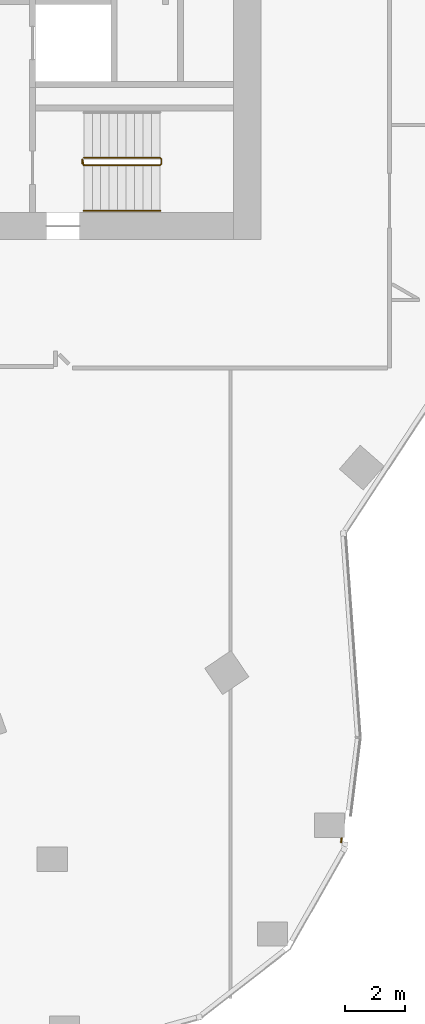
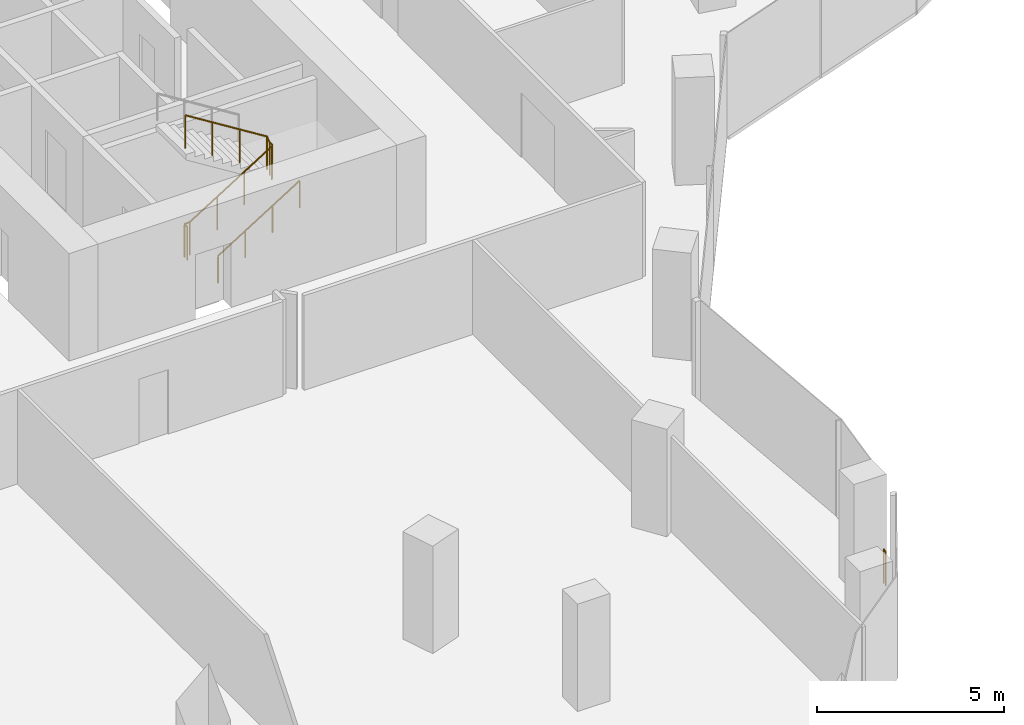
# One storey, part 23 of 24: 3 railings.
"""IFC4 building model written with IfcOpenShell, lengths in metres."""

import ifcopenshell
import ifcopenshell.guid

model = None  # the IFC model being written
_history = None  # IfcOwnerHistory: only IFC2X3 demands one
_inside = {}  # id of a spatial element -> (the spatial element, [elements in it])
_under = {}  # id of a project, library or spatial element -> (it, [spatial elements below it])
_declared = {}  # id of a project -> (the project, [libraries it declares])
_typed = {}  # id of a type object -> (the type object, [elements of that type])
_made_of = {}  # id of a material, layer set ... -> (it, [elements and type objects made of it])


def new_model(schema):
    """Start an empty IFC model of exactly this schema.

    Asked for "IFC4X3", IfcOpenShell would pick the latest addendum, in which some entities
    have other attributes; the version numbers below select the first issue.
    IFC2X3 requires an IfcOwnerHistory on every rooted entity: one is made here for all.
    """
    global model, _history
    if schema == "IFC4X3":
        model = ifcopenshell.file(schema_version=(4, 3, 0, 0))
    else:
        model = ifcopenshell.file(schema=schema)
    _inside.clear()
    _under.clear()
    _declared.clear()
    _typed.clear()
    _made_of.clear()
    _history = None
    if model.schema == "IFC2X3":
        org = make("IfcOrganization", Name="unknown")
        user = make(
            "IfcPersonAndOrganization",
            ThePerson=make("IfcPerson", FamilyName="unknown"),
            TheOrganization=org,
        )
        app = make(
            "IfcApplication",
            ApplicationDeveloper=org,
            Version="unknown",
            ApplicationFullName="unknown",
            ApplicationIdentifier="unknown",
        )
        _history = make(
            "IfcOwnerHistory",
            OwningUser=user,
            OwningApplication=app,
            ChangeAction="ADDED",
            CreationDate=0,
        )
    return model


def make(cls, **values):
    """One entity of the class cls with the attributes given. An attribute that is None is left unset."""
    return model.create_entity(
        cls, **{name: value for name, value in values.items() if value is not None}
    )


def rooted(cls, **values):
    """An entity with a GlobalId (a new one), such as an element, a storey or a relation."""
    return make(cls, GlobalId=ifcopenshell.guid.new(), OwnerHistory=_history, **values)


def si_unit(unit_type, name, prefix=None):
    """IfcSIUnit, for example si_unit("LENGTHUNIT", "METRE", prefix="MILLI")."""
    return make("IfcSIUnit", UnitType=unit_type, Prefix=prefix, Name=name)


def assignment(units):
    """IfcUnitAssignment: the units of a project."""
    return None if units is None else make("IfcUnitAssignment", Units=units)


def point(xyz):
    """IfcCartesianPoint."""
    return None if xyz is None else make("IfcCartesianPoint", Coordinates=xyz)


def direction(xyz):
    """IfcDirection."""
    return None if xyz is None else make("IfcDirection", DirectionRatios=xyz)


def frame(location, z_axis=None, x_axis=None):
    """IfcAxis2Placement3D, a coordinate frame: its origin and axes. An axis left out is left unset."""
    return make(
        "IfcAxis2Placement3D",
        Location=point(location),
        Axis=direction(z_axis),
        RefDirection=direction(x_axis),
    )


def frame_2d(location, x_axis=None):
    """IfcAxis2Placement2D, a coordinate frame in the plane: its origin and x axis."""
    return make(
        "IfcAxis2Placement2D", Location=point(location), RefDirection=direction(x_axis)
    )


def origin():
    """The frame at (0, 0, 0) with its axes left unset."""
    return frame((0.0, 0.0, 0.0))


def origin_2d():
    """The frame at (0, 0) in the plane with its x axis left unset."""
    return frame_2d((0.0, 0.0))


def place(relative_to, where):
    """IfcLocalPlacement: puts the frame where relative to a parent placement (None: the world)."""
    return make(
        "IfcLocalPlacement", PlacementRelTo=relative_to, RelativePlacement=where
    )


def context(
    kind, dimensions, precision=None, world=None, true_north=None, identifier=None
):
    """IfcGeometricRepresentationContext, for example the 3D "Model" context."""
    return make(
        "IfcGeometricRepresentationContext",
        ContextIdentifier=identifier,
        ContextType=kind,
        CoordinateSpaceDimension=dimensions,
        Precision=precision,
        WorldCoordinateSystem=world,
        TrueNorth=true_north,
    )


def subcontext(parent, identifier, kind, view, scale=None):
    """IfcGeometricRepresentationSubContext, for example "Body" below "Model"."""
    return make(
        "IfcGeometricRepresentationSubContext",
        ContextIdentifier=identifier,
        ContextType=kind,
        ParentContext=parent,
        TargetScale=scale,
        TargetView=view,
    )


def project(units=None, contexts=None):
    """IfcProject with its units and contexts."""
    return rooted(
        "IfcProject",
        Name="project",
        RepresentationContexts=contexts,
        UnitsInContext=assignment(units),
    )


def spatial(cls, under=None, at=None, **own):
    """A site, building, storey or space (cls), placed at a placement, below another one or the project."""
    s = rooted(cls, ObjectPlacement=at, **own)
    if under is not None:
        _under.setdefault(under.id(), (under, []))[1].append(s)
    return s


def profile(cls, at=None, kind="AREA", **sizes):
    """A parametric profile (cls). Its sizes go by their IFC names, for example OverallWidth=200.0."""
    return make(cls, ProfileType=kind, Position=at, **sizes)


def circle(**sizes):
    """IfcCircleProfileDef."""
    return profile("IfcCircleProfileDef", **sizes)


def extrude(swept, where, along, depth):
    """IfcExtrudedAreaSolid: the profile swept, set in the frame where, extruded along a direction by depth."""
    return make(
        "IfcExtrudedAreaSolid",
        SweptArea=swept,
        Position=where,
        ExtrudedDirection=direction(along),
        Depth=depth,
    )


def shape(context_of_items, identifier, shape_type, items):
    """IfcShapeRepresentation: the items that make up one representation, for example the "Body"."""
    return make(
        "IfcShapeRepresentation",
        ContextOfItems=context_of_items,
        RepresentationIdentifier=identifier,
        RepresentationType=shape_type,
        Items=items,
    )


def material(Name=None, Category=None):
    """IfcMaterial."""
    return make("IfcMaterial", Name=Name, Category=Category)


def made_of(thing, what):
    """Note that an element or type object is made of a material, layer set ...; save() writes the relation."""
    if what is not None:
        _made_of.setdefault(what.id(), (what, []))[1].append(thing)
    return thing


def type_object(cls, material=None, **own):
    """A type object (cls), such as IfcWallType, which elements share."""
    return made_of(rooted(cls, **own), material)


def element(
    cls,
    number,
    at=None,
    inside=None,
    cuts=None,
    type_object=None,
    material=None,
    context=None,
    identifier="Body",
    shape_type=None,
    held_by="IfcProductDefinitionShape",
    body=None,
    shapes=None,
    **own,
):
    """One element of the class cls, such as IfcWall. Its Tag is "e" and its number.

    at: its placement. inside: the storey or other place that contains it. cuts: it is an
    opening in that element (IfcRelVoidsElement). A single representation is given by context,
    identifier, shape_type and body (its items); several are given by shapes. held_by: the class
    of the entity that holds the representations. save() writes the other relations.
    """
    e = rooted(cls, Tag="e%d" % number, ObjectPlacement=at, **own)
    if body is not None:
        shapes = [shape(context, identifier, shape_type, body)]
    if shapes is not None:
        e.Representation = make(held_by, Representations=shapes)
    if inside is not None:
        _inside.setdefault(inside.id(), (inside, []))[1].append(e)
    if cuts is not None:
        rooted(
            "IfcRelVoidsElement", RelatingBuildingElement=cuts, RelatedOpeningElement=e
        )
    if type_object is not None:
        _typed.setdefault(type_object.id(), (type_object, []))[1].append(e)
    return made_of(e, material)


def aggregate(whole, parts):
    """IfcRelAggregates: a whole, such as a stair, and the parts it consists of."""
    return rooted("IfcRelAggregates", RelatingObject=whole, RelatedObjects=parts)


def save(model, path):
    """Write the relations noted so far, then the file.

    IfcRelAggregates (storeys below a building ...), IfcRelContainedInSpatialStructure (elements
    in a storey), IfcRelDefinesByType, IfcRelAssociatesMaterial and IfcRelDeclares: one each for
    every whole, place, type object, material and project.
    """
    for whole, parts in _under.values():
        aggregate(whole, parts)
    for where, things in _inside.values():
        rooted(
            "IfcRelContainedInSpatialStructure",
            RelatedElements=things,
            RelatingStructure=where,
        )
    for kind, things in _typed.values():
        rooted("IfcRelDefinesByType", RelatedObjects=things, RelatingType=kind)
    for what, things in _made_of.values():
        rooted("IfcRelAssociatesMaterial", RelatedObjects=things, RelatingMaterial=what)
    for by, libraries in _declared.values():
        rooted("IfcRelDeclares", RelatingContext=by, RelatedDefinitions=libraries)
    model.write(path)


model = new_model("IFC4")

# Units and contexts
model_context = context("Model", 3, precision=1e-05, world=origin(), true_north=direction((0.0, 1.0)))
body_context = subcontext(model_context, "Body", "Model", "MODEL_VIEW")
ifc_project = project(units=[si_unit("LENGTHUNIT", "METRE"), si_unit("AREAUNIT", "SQUARE_METRE"), si_unit("VOLUMEUNIT", "CUBIC_METRE"), si_unit("PLANEANGLEUNIT", "RADIAN"), si_unit("MASSUNIT", "GRAM", prefix="KILO")], contexts=[model_context])

# Site, building, storey
site_placement = place(None, origin())
site = spatial("IfcSite", under=ifc_project, at=site_placement, CompositionType="ELEMENT")
building_placement = place(site_placement, origin())
building = spatial("IfcBuilding", under=site, at=building_placement, Name="Orlundy Tower", CompositionType="ELEMENT")
storey_placement = place(building_placement, frame((0.0, 0.0, 235.5)))
storey = spatial("IfcBuildingStorey", under=building, at=storey_placement, Name="L62", CompositionType="ELEMENT", Elevation=235.5)

# Railings
ifc_material_1 = material(Name="Steel balustrade", Category="steel")
railing_type_1 = type_object("IfcRailingType", Name="Stair Guard 1100", PredefinedType="GUARDRAIL", material=ifc_material_1)
railing_1_placement = place(storey_placement, frame((13.090087890625, -9.5, 0.0)))
element("IfcRailing", 1, at=railing_1_placement, inside=storey, type_object=railing_type_1, Name="L62 ST-E1 stair guard 1", PredefinedType="GUARDRAIL", context=body_context, shape_type="SweptSolid", body=[
    extrude(circle(Radius=0.02392578125, at=origin_2d()), frame((0.0, 0.0, 1.076171875), z_axis=(0.0, 1.0, 0.0), x_axis=(-1.0, 0.0, 0.0)), (0.0, 0.0, 1.0), 0.14990234375),
    extrude(circle(Radius=0.02392578125, at=origin_2d()), frame((0.0, 0.14990234375, 1.076171875), z_axis=(0.18420542264, -0.739530593833, 0.647427882513), x_axis=(0.970351222016, 0.241699205484, 0.0)), (0.0, 0.0, 1.0), 0.270263671875),
    extrude(circle(Radius=0.02392578125, at=origin_2d()), frame((0.0498046875, -0.050048828125, 1.2509765625), z_axis=(0.848007534815, 0.0, 0.529984170421), x_axis=(0.0, 1.0, 0.0)), (0.0, 0.0, 1.0), 2.9716796875),
    extrude(circle(Radius=0.02392578125, at=origin_2d()), frame((2.56982421875, -0.050048828125, 2.826171875), z_axis=(0.707106781187, 0.707106781187, 0.0), x_axis=(-0.707106781187, 0.707106781187, 0.0)), (0.0, 0.0, 1.0), 0.07080078125),
    extrude(circle(Radius=0.02392578125, at=origin_2d()), frame((2.619873046875, 0.0, 2.826171875), z_axis=(0.0, 1.0, 0.0), x_axis=(-1.0, 0.0, 0.0)), (0.0, 0.0, 1.0), 0.14990234375),
    extrude(circle(Radius=0.02392578125, at=origin_2d()), frame((2.619873046875, 0.14990234375, 2.826171875), z_axis=(-0.265065253269, 0.265065253269, 0.927081885822), x_axis=(-0.707106781187, -0.707106781187, 0.0)), (0.0, 0.0, 1.0), 0.188720703125),
    extrude(circle(Radius=0.02392578125, at=origin_2d()), frame((2.56982421875, 0.199951171875, 3.0009765625), z_axis=(-0.848007534815, 0.0, 0.529984170421), x_axis=(0.0, -1.0, 0.0)), (0.0, 0.0, 1.0), 2.9716796875),
    extrude(circle(Radius=0.02099609375, at=origin_2d()), origin(), (0.0, 0.0, 1.0), 1.052001953125),
    extrude(circle(Radius=0.02099609375, at=origin_2d()), frame((0.0, 0.14990234375, 0.0)), (0.0, 0.0, 1.0), 1.052001953125),
    extrude(circle(Radius=0.02099609375, at=origin_2d()), frame((0.0498046875, -0.050048828125, 0.175048828125)), (0.0, 0.0, 1.0), 1.052001953125),
    extrude(circle(Radius=0.02099609375, at=origin_2d()), frame((0.889892578125, -0.050048828125, 0.699951171875)), (0.0, 0.0, 1.0), 1.052001953125),
    extrude(circle(Radius=0.02099609375, at=origin_2d()), frame((1.729736328125, -0.050048828125, 1.22509765625)), (0.0, 0.0, 1.0), 1.052001953125),
    extrude(circle(Radius=0.02099609375, at=origin_2d()), frame((2.56982421875, -0.050048828125, 1.75)), (0.0, 0.0, 1.0), 1.052001953125),
    extrude(circle(Radius=0.02099609375, at=origin_2d()), frame((2.619873046875, 0.0, 1.75)), (0.0, 0.0, 1.0), 1.052001953125),
    extrude(circle(Radius=0.02099609375, at=origin_2d()), frame((2.619873046875, 0.14990234375, 1.75)), (0.0, 0.0, 1.0), 1.052001953125),
    extrude(circle(Radius=0.02099609375, at=origin_2d()), frame((2.56982421875, 0.199951171875, 1.925048828125)), (0.0, 0.0, 1.0), 1.052001953125),
    extrude(circle(Radius=0.02099609375, at=origin_2d()), frame((1.729736328125, 0.199951171875, 2.449951171875)), (0.0, 0.0, 1.0), 1.052001953125),
    extrude(circle(Radius=0.02099609375, at=origin_2d()), frame((0.889892578125, 0.199951171875, 2.97509765625)), (0.0, 0.0, 1.0), 1.052001953125),
    extrude(circle(Radius=0.02099609375, at=origin_2d()), frame((0.0498046875, 0.199951171875, 3.5)), (0.0, 0.0, 1.0), 1.052001953125),
])
ifc_material_2 = material(Name="Steel handrail", Category="steel")
railing_type_2 = type_object("IfcRailingType", Name="Stair Handrail 900", PredefinedType="HANDRAIL", material=ifc_material_2)
railing_2_placement = place(storey_placement, frame((13.139892578125, -11.050048828125, 0.175048828125)))
element("IfcRailing", 2, at=railing_2_placement, inside=storey, type_object=railing_type_2, Name="L62 ST-E1 stair handrail 1", PredefinedType="HANDRAIL", context=body_context, shape_type="SweptSolid", body=[
    extrude(circle(Radius=0.02392578125, at=origin_2d()), frame((0.0, 0.0, 0.8759765625), z_axis=(0.848007534815, 0.0, 0.529984170421), x_axis=(0.0, 1.0, 0.0)), (0.0, 0.0, 1.0), 2.9716796875),
    extrude(circle(Radius=0.02099609375, at=origin_2d()), origin(), (0.0, 0.0, 1.0), 0.851806640625),
    extrude(circle(Radius=0.02099609375, at=origin_2d()), frame((0.840087890625, 0.0, 0.52490234375)), (0.0, 0.0, 1.0), 0.851806640625),
    extrude(circle(Radius=0.02099609375, at=origin_2d()), frame((1.679931640625, 0.0, 1.050048828125)), (0.0, 0.0, 1.0), 0.851806640625),
    extrude(circle(Radius=0.02099609375, at=origin_2d()), frame((2.52001953125, 0.0, 1.574951171875)), (0.0, 0.0, 1.0), 0.851806640625),
])
ifc_material_3 = material(Name="Stainless steel bronze finish", Category="steel")
railing_type_3 = type_object("IfcRailingType", Name="TG1 terrace guard", PredefinedType="GUARDRAIL", material=ifc_material_3)
railing_3_placement = place(storey_placement, frame((21.67138671875, -31.81005859375, 0.0)))
element("IfcRailing", 3, at=railing_3_placement, inside=storey, type_object=railing_type_3, Name="Guard TG-L62-E01", PredefinedType="GUARDRAIL", context=body_context, shape_type="SweptSolid", body=[
    extrude(circle(Radius=0.02490234375, at=origin_2d()), frame((0.0, 0.0, 1.09521484375), z_axis=(-0.122459893212, -0.992473462897, 0.0), x_axis=(0.992473462897, -0.122459893212, 0.0)), (0.0, 0.0, 1.0), 0.133544921875),
    extrude(circle(Radius=0.02001953125, at=origin_2d()), origin(), (0.0, 0.0, 1.0), 1.070068359375),
    extrude(circle(Radius=0.02001953125, at=origin_2d()), frame((-0.016357421875, -0.132568359375, 0.0)), (0.0, 0.0, 1.0), 1.070068359375),
])

save(model, "model.ifc")
